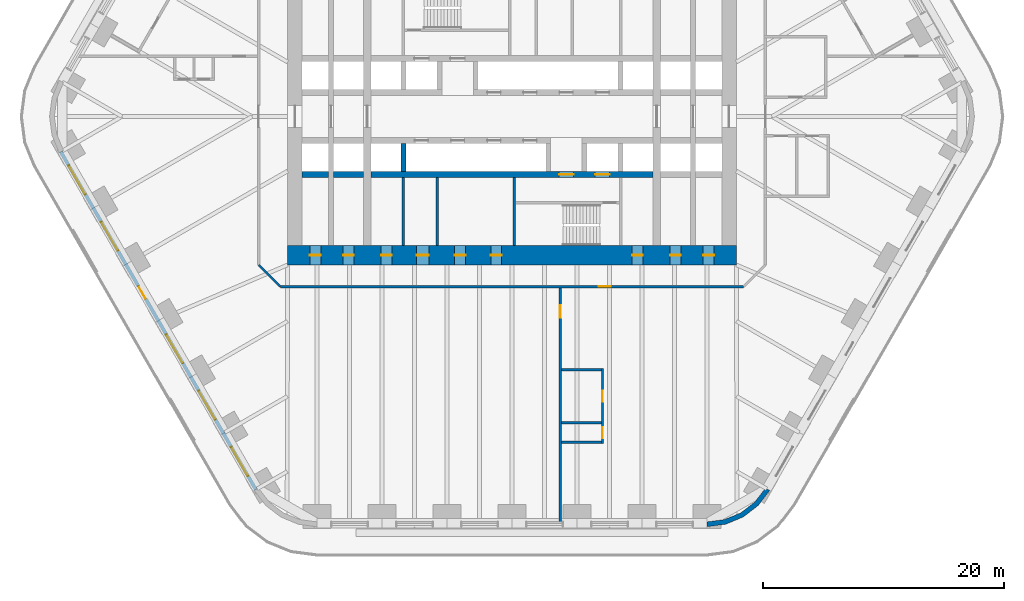
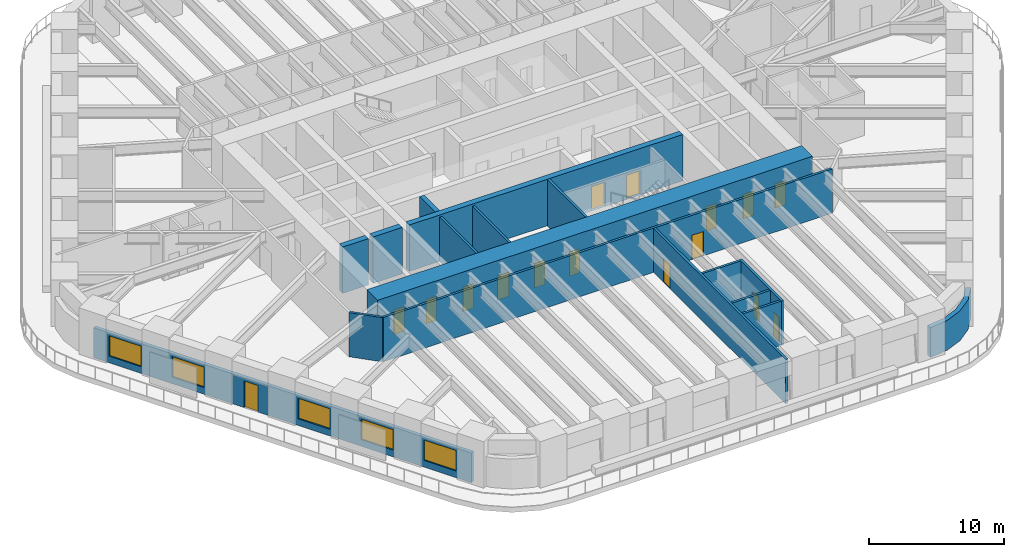
# One storey, part 16 of 23: 17 walls, 16 doors, 5 windows, 21 openings.
"""IFC4 building model written with IfcOpenShell, lengths in metres."""

from ifc_helpers import new_model, si_unit, direction, frame, frame_2d, origin, place, context, subcontext, project, spatial, polyline, rectangle, outline, extrude, material, layer, layer_set, type_object, element, fill, save


model = new_model("IFC4")

# Units and contexts
model_context = context("Model", 3, precision=1e-05, world=origin(), true_north=direction((0.0, 1.0)))
body_context = subcontext(model_context, "Body", "Model", "MODEL_VIEW")
ifc_project = project(units=[si_unit("LENGTHUNIT", "METRE"), si_unit("AREAUNIT", "SQUARE_METRE"), si_unit("VOLUMEUNIT", "CUBIC_METRE"), si_unit("PLANEANGLEUNIT", "RADIAN"), si_unit("MASSUNIT", "GRAM", prefix="KILO")], contexts=[model_context])

# Site, building, storey
site_placement = place(None, origin())
site = spatial("IfcSite", under=ifc_project, at=site_placement, CompositionType="ELEMENT")
building_placement = place(site_placement, origin())
building = spatial("IfcBuilding", under=site, at=building_placement, Name="Tarfa Lantern Tower", CompositionType="ELEMENT")
storey_placement = place(building_placement, frame((0.0, 0.0, 40.300048828125)))
storey = spatial("IfcBuildingStorey", under=building, at=storey_placement, Name="L08", CompositionType="ELEMENT", Elevation=40.300048828125)

# Wall, openings, door, windows
ifc_material_1 = material(Name="Limestone cladding on blockwork", Category="masonry")
ifc_layer_1 = layer(ifc_material_1, 0.300048828125)
ifc_layer_set_1 = layer_set([ifc_layer_1], Name="EW1 STONE-CLAD WALL 300")
wall_type_1 = type_object("IfcWallType", Name="EW1 STONE-CLAD WALL 300", PredefinedType="SOLIDWALL", material=ifc_layer_set_1)
wall_1_placement = place(storey_placement, frame((-37.39794921875, -2.925048828125, 0.0), z_axis=(0.0, 0.0, 1.0), x_axis=(0.499999163675, -0.866025886636, 0.0)))
wall_1 = element("IfcWall", 1, at=wall_1_placement, inside=storey, type_object=wall_type_1, Name="Stone wall SW", PredefinedType="SOLIDWALL", context=body_context, shape_type="SweptSolid", body=[
    extrude(rectangle(XDim=32.33154296875, YDim=0.300048828125, at=frame_2d((16.165771484375, 0.0))), origin(), (0.0, 0.0, 1.0), 2.699951171875),
])
opening_1_placement = place(wall_1_placement, frame((1.3193359375, 0.0, 0.60009765625)))
opening_1 = element("IfcOpeningElement", 2, at=opening_1_placement, cuts=wall_1, Name="Opening W2", PredefinedType="OPENING", context=body_context, shape_type="SweptSolid", body=[
    extrude(rectangle(XDim=2.75, YDim=1.85009765625, at=frame_2d((1.375, 0.925048828125))), frame((0.0, 0.159912109375, 0.0), z_axis=(0.0, -1.0, 0.0), x_axis=(1.0, 0.0, 0.0)), (0.0, 0.0, 1.0), 0.320068359375),
])
opening_2_placement = place(wall_1_placement, frame((6.7080078125, 0.0, 0.60009765625)))
opening_2 = element("IfcOpeningElement", 3, at=opening_2_placement, cuts=wall_1, Name="Opening W2", PredefinedType="OPENING", context=body_context, shape_type="SweptSolid", body=[
    extrude(rectangle(XDim=2.75, YDim=1.85009765625, at=frame_2d((1.375, 0.925048828125))), frame((0.0, 0.159912109375, 0.0), z_axis=(0.0, -1.0, 0.0), x_axis=(1.0, 0.0, 0.0)), (0.0, 0.0, 1.0), 0.320068359375),
])
opening_3_placement = place(wall_1_placement, frame((12.87158203125, 0.0, 0.0)))
opening_3 = element("IfcOpeningElement", 4, at=opening_3_placement, cuts=wall_1, Name="Opening D51", PredefinedType="OPENING", context=body_context, shape_type="SweptSolid", body=[
    extrude(rectangle(XDim=1.199951171875, YDim=2.39990234375, at=frame_2d((0.60009765625, 1.199951171875))), frame((0.0, 0.159912109375, 0.0), z_axis=(0.0, -1.0, 0.0), x_axis=(1.0, 0.0, 0.0)), (0.0, 0.0, 1.0), 0.320068359375),
])
opening_4_placement = place(wall_1_placement, frame((17.485107421875, 0.0, 0.60009765625)))
opening_4 = element("IfcOpeningElement", 5, at=opening_4_placement, cuts=wall_1, Name="Opening W2", PredefinedType="OPENING", context=body_context, shape_type="SweptSolid", body=[
    extrude(rectangle(XDim=2.75, YDim=1.85009765625, at=frame_2d((1.375, 0.925048828125))), frame((0.0, 0.159912109375, 0.0), z_axis=(0.0, -1.0, 0.0), x_axis=(1.0, 0.0, 0.0)), (0.0, 0.0, 1.0), 0.320068359375),
])
opening_5_placement = place(wall_1_placement, frame((22.873779296875, 0.0, 0.60009765625)))
opening_5 = element("IfcOpeningElement", 6, at=opening_5_placement, cuts=wall_1, Name="Opening W2", PredefinedType="OPENING", context=body_context, shape_type="SweptSolid", body=[
    extrude(rectangle(XDim=2.75, YDim=1.85009765625, at=frame_2d((1.375, 0.925048828125))), frame((0.0, 0.159912109375, 0.0), z_axis=(0.0, -1.0, 0.0), x_axis=(1.0, 0.0, 0.0)), (0.0, 0.0, 1.0), 0.320068359375),
])
opening_6_placement = place(wall_1_placement, frame((28.26220703125, 0.0, 0.60009765625)))
opening_6 = element("IfcOpeningElement", 7, at=opening_6_placement, cuts=wall_1, Name="Opening W2", PredefinedType="OPENING", context=body_context, shape_type="SweptSolid", body=[
    extrude(rectangle(XDim=2.75, YDim=1.85009765625, at=frame_2d((1.375, 0.925048828125))), frame((0.0, 0.159912109375, 0.0), z_axis=(0.0, -1.0, 0.0), x_axis=(1.0, 0.0, 0.0)), (0.0, 0.0, 1.0), 0.320068359375),
])
ifc_material_2 = material(Name="Aluminium framed glazed door", Category="aluminium")
door_type_1 = type_object("IfcDoorType", Name="BE3 BALCONY DOOR 1200x2400", OperationType="SINGLE_SWING_RIGHT", PredefinedType="DOOR", material=ifc_material_2)
door_1_placement = place(opening_3_placement, origin())
door_1 = element("IfcDoor", 8, at=door_1_placement, inside=storey, type_object=door_type_1, Name="Balcony door SW", OperationType="SINGLE_SWING_RIGHT", OverallHeight=2.39990234375, OverallWidth=1.199951171875, PredefinedType="DOOR", context=body_context, shape_type="SweptSolid", body=[
    extrude(rectangle(XDim=1.199951171875, YDim=2.39990234375, at=frame_2d((0.60009765625, 1.199951171875))), frame((0.0, 0.02490234375, 0.0), z_axis=(0.0, -1.0, 0.0), x_axis=(1.0, 0.0, 0.0)), (0.0, 0.0, 1.0), 0.050048828125),
])
fill(opening_3, door_1)
ifc_material_3 = material(Name="Aluminium frame, double glazed", Category="aluminium")
window_type = type_object("IfcWindowType", Name="W2 FULL-HEIGHT GLAZING 2750x1850", PartitioningType="SINGLE_PANEL", PredefinedType="WINDOW", material=ifc_material_3)
window_1_placement = place(opening_1_placement, origin())
window_1 = element("IfcWindow", 9, at=window_1_placement, inside=storey, type_object=window_type, Name="Window SW 1", OverallHeight=1.85009765625, OverallWidth=2.75, PartitioningType="SINGLE_PANEL", PredefinedType="WINDOW", context=body_context, shape_type="SweptSolid", body=[
    extrude(rectangle(XDim=2.75, YDim=1.85009765625, at=frame_2d((1.375, 0.925048828125))), frame((0.0, 0.030029296875, 0.0), z_axis=(0.0, -1.0, 0.0), x_axis=(1.0, 0.0, 0.0)), (0.0, 0.0, 1.0), 0.06005859375),
])
fill(opening_1, window_1)
window_2_placement = place(opening_2_placement, origin())
window_2 = element("IfcWindow", 10, at=window_2_placement, inside=storey, type_object=window_type, Name="Window SW 2", OverallHeight=1.85009765625, OverallWidth=2.75, PartitioningType="SINGLE_PANEL", PredefinedType="WINDOW", context=body_context, shape_type="SweptSolid", body=[
    extrude(rectangle(XDim=2.75, YDim=1.85009765625, at=frame_2d((1.375, 0.925048828125))), frame((0.0, 0.030029296875, 0.0), z_axis=(0.0, -1.0, 0.0), x_axis=(1.0, 0.0, 0.0)), (0.0, 0.0, 1.0), 0.06005859375),
])
fill(opening_2, window_2)
window_3_placement = place(opening_4_placement, origin())
window_3 = element("IfcWindow", 11, at=window_3_placement, inside=storey, type_object=window_type, Name="Window SW 4", OverallHeight=1.85009765625, OverallWidth=2.75, PartitioningType="SINGLE_PANEL", PredefinedType="WINDOW", context=body_context, shape_type="SweptSolid", body=[
    extrude(rectangle(XDim=2.75, YDim=1.85009765625, at=frame_2d((1.375, 0.925048828125))), frame((0.0, 0.030029296875, 0.0), z_axis=(0.0, -1.0, 0.0), x_axis=(1.0, 0.0, 0.0)), (0.0, 0.0, 1.0), 0.06005859375),
])
fill(opening_4, window_3)
window_4_placement = place(opening_5_placement, origin())
window_4 = element("IfcWindow", 12, at=window_4_placement, inside=storey, type_object=window_type, Name="Window SW 5", OverallHeight=1.85009765625, OverallWidth=2.75, PartitioningType="SINGLE_PANEL", PredefinedType="WINDOW", context=body_context, shape_type="SweptSolid", body=[
    extrude(rectangle(XDim=2.75, YDim=1.85009765625, at=frame_2d((1.375, 0.925048828125))), frame((0.0, 0.030029296875, 0.0), z_axis=(0.0, -1.0, 0.0), x_axis=(1.0, 0.0, 0.0)), (0.0, 0.0, 1.0), 0.06005859375),
])
fill(opening_5, window_4)
window_5_placement = place(opening_6_placement, origin())
window_5 = element("IfcWindow", 13, at=window_5_placement, inside=storey, type_object=window_type, Name="Window SW 6", OverallHeight=1.85009765625, OverallWidth=2.75, PartitioningType="SINGLE_PANEL", PredefinedType="WINDOW", context=body_context, shape_type="SweptSolid", body=[
    extrude(rectangle(XDim=2.75, YDim=1.85009765625, at=frame_2d((1.375, 0.925048828125))), frame((0.0, 0.030029296875, 0.0), z_axis=(0.0, -1.0, 0.0), x_axis=(1.0, 0.0, 0.0)), (0.0, 0.0, 1.0), 0.06005859375),
])
fill(opening_6, window_5)

# Walls
ifc_layer_2 = layer(ifc_material_1, 0.39990234375)
ifc_layer_set_2 = layer_set([ifc_layer_2], Name="EW2 CURVED STONE CORNER 400")
wall_type_2 = type_object("IfcWallType", Name="EW2 CURVED STONE CORNER 400", PredefinedType="SOLIDWALL", material=ifc_layer_set_2)
wall_2_placement = place(storey_placement, origin())
element("IfcWall", 14, at=wall_2_placement, inside=storey, type_object=wall_type_2, Name="Stone corner S-SE", PredefinedType="SOLIDWALL", context=body_context, shape_type="SweptSolid", body=[
    extrude(outline(polyline([(16.165771484375, -34.0), (17.71875, -33.795654296875), (19.165771484375, -33.196044921875), (20.408447265625, -32.24267578125), (21.362060546875, -31.0), (21.015625, -30.800048828125), (20.12548828125, -31.959716796875), (18.9658203125, -32.849853515625), (17.615234375, -33.4091796875), (16.165771484375, -33.60009765625), (16.165771484375, -34.0)])), origin(), (0.0, 0.0, 1.0), 2.699951171875),
])
ifc_material_4 = material(Name="Concrete blockwork", Category="masonry")
ifc_layer_3 = layer(ifc_material_4, 0.199951171875)
ifc_layer_set_3 = layer_set([ifc_layer_3], Name="IW1 BLOCKWORK PARTITION 200 EI 120")
wall_type_3 = type_object("IfcWallType", Name="IW1 BLOCKWORK PARTITION 200 EI 120", PredefinedType="PARTITIONING", material=ifc_layer_set_3)
for number, where, z_axis, x_axis, name in (
    (15, (-9.0, -5.050048828125, 0.0), (0.0, 0.0, 1.0), (0.0, -1.0, 0.0), "Core partition"),
    (16, (-6.199951171875, -5.050048828125, 0.0), (0.0, 0.0, 1.0), (0.0, -1.0, 0.0), "Core partition"),
):
    element("IfcWall", number, at=place(storey_placement, frame(where, z_axis=z_axis, x_axis=x_axis)), inside=storey, type_object=wall_type_3, Name=name, PredefinedType="PARTITIONING", context=body_context, shape_type="SweptSolid", body=[
        extrude(rectangle(XDim=5.64990234375, YDim=0.199951171875, at=frame_2d((2.824951171875, 0.0))), origin(), (0.0, 0.0, 1.0), 4.0),
    ])

# Wall, opening, door
ifc_material_5 = material(Name="Gypsum board on steel studs", Category="steel")
ifc_layer_4 = layer(ifc_material_5, 0.2099609375)
ifc_layer_set_4 = layer_set([ifc_layer_4], Name="IW2 ACOUSTIC PARTITION 200")
wall_type_4 = type_object("IfcWallType", Name="IW2 ACOUSTIC PARTITION 200", PredefinedType="PARTITIONING", material=ifc_layer_set_4)
wall_3_placement = place(storey_placement, frame((19.199951171875, -14.10009765625, 0.0), z_axis=(0.0, 0.0, 1.0), x_axis=(-1.0, 0.0, 0.0)))
wall_3 = element("IfcWall", 17, at=wall_3_placement, inside=storey, type_object=wall_type_4, Name="Partition", PredefinedType="PARTITIONING", context=body_context, shape_type="SweptSolid", body=[
    extrude(rectangle(XDim=38.39990234375, YDim=0.199951171875, at=frame_2d((19.199951171875, 0.0))), origin(), (0.0, 0.0, 1.0), 4.0),
])
opening_7_placement = place(wall_3_placement, frame((11.02001953125, 0.0, 0.0)))
opening_7 = element("IfcOpeningElement", 18, at=opening_7_placement, cuts=wall_3, Name="Opening D44", PredefinedType="OPENING", context=body_context, shape_type="SweptSolid", body=[
    extrude(rectangle(XDim=1.0, YDim=2.199951171875, at=frame_2d((0.5, 1.10009765625))), frame((0.0, 0.10986328125, 0.0), z_axis=(0.0, -1.0, 0.0), x_axis=(1.0, 0.0, 0.0)), (0.0, 0.0, 1.0), 0.219970703125),
])
ifc_material_6 = material(Name="Timber door", Category="wood")
door_type_2 = type_object("IfcDoorType", Name="DR1 ROOM DOOR 1000x2200", OperationType="SINGLE_SWING_LEFT", PredefinedType="DOOR", material=ifc_material_6)
door_2_placement = place(opening_7_placement, origin())
door_2 = element("IfcDoor", 19, at=door_2_placement, inside=storey, type_object=door_type_2, Name="Corridor door", OperationType="SINGLE_SWING_LEFT", OverallHeight=2.199951171875, OverallWidth=1.0, PredefinedType="DOOR", context=body_context, shape_type="SweptSolid", body=[
    extrude(rectangle(XDim=1.0, YDim=2.199951171875, at=frame_2d((0.5, 1.10009765625))), frame((0.0, 0.02490234375, 0.0), z_axis=(0.0, -1.0, 0.0), x_axis=(1.0, 0.0, 0.0)), (0.0, 0.0, 1.0), 0.050048828125),
])
fill(opening_7, door_2)

# Wall
wall_4_placement = place(storey_placement, frame((-19.199951171875, -14.10009765625, 0.0), z_axis=(0.0, 0.0, 1.0), x_axis=(-0.707106781187, 0.707106781187, 0.0)))
element("IfcWall", 20, at=wall_4_placement, inside=storey, type_object=wall_type_4, Name="Partition", PredefinedType="PARTITIONING", context=body_context, shape_type="SweptSolid", body=[
    extrude(rectangle(XDim=2.545654296875, YDim=0.199951171875, at=frame_2d((1.27294921875, 0.0))), origin(), (0.0, 0.0, 1.0), 4.0),
])

# Wall, opening, door
wall_5_placement = place(storey_placement, frame((4.0, -14.199951171875, 0.0), z_axis=(0.0, 0.0, 1.0), x_axis=(0.0, -1.0, 0.0)))
wall_5 = element("IfcWall", 21, at=wall_5_placement, inside=storey, type_object=wall_type_4, Name="Partition", PredefinedType="PARTITIONING", context=body_context, shape_type="SweptSolid", body=[
    extrude(rectangle(XDim=19.60009765625, YDim=0.199951171875, at=frame_2d((9.800048828125, 0.0))), origin(), (0.0, 0.0, 1.0), 4.0),
])
opening_8_placement = place(wall_5_placement, frame((1.4599609375, 0.0, 0.0)))
opening_8 = element("IfcOpeningElement", 22, at=opening_8_placement, cuts=wall_5, Name="Opening D47", PredefinedType="OPENING", context=body_context, shape_type="SweptSolid", body=[
    extrude(rectangle(XDim=1.0, YDim=2.199951171875, at=frame_2d((0.5, 1.10009765625))), frame((0.0, 0.10986328125, 0.0), z_axis=(0.0, -1.0, 0.0), x_axis=(1.0, 0.0, 0.0)), (0.0, 0.0, 1.0), 0.219970703125),
])
door_3_placement = place(opening_8_placement, origin())
door_3 = element("IfcDoor", 23, at=door_3_placement, inside=storey, type_object=door_type_2, Name="Zone door", OperationType="SINGLE_SWING_RIGHT", OverallHeight=2.199951171875, OverallWidth=1.0, PredefinedType="DOOR", context=body_context, shape_type="SweptSolid", body=[
    extrude(rectangle(XDim=1.0, YDim=2.199951171875, at=frame_2d((0.5, 1.10009765625))), frame((0.0, 0.02490234375, 0.0), z_axis=(0.0, -1.0, 0.0), x_axis=(1.0, 0.0, 0.0)), (0.0, 0.0, 1.0), 0.050048828125),
])
fill(opening_8, door_3)

# Wall, openings, doors
wall_6_placement = place(storey_placement, frame((7.5, -20.89990234375, 0.0), z_axis=(0.0, 0.0, 1.0), x_axis=(0.0, -1.0, 0.0)))
wall_6 = element("IfcWall", 24, at=wall_6_placement, inside=storey, type_object=wall_type_4, Name="Partition", PredefinedType="PARTITIONING", context=body_context, shape_type="SweptSolid", body=[
    extrude(rectangle(XDim=6.2001953125, YDim=0.199951171875, at=frame_2d((3.10009765625, 0.0))), origin(), (0.0, 0.0, 1.0), 4.0),
])
opening_9_placement = place(wall_6_placement, frame((1.85009765625, 0.0, 0.0)))
opening_9 = element("IfcOpeningElement", 25, at=opening_9_placement, cuts=wall_6, Name="Opening D39", PredefinedType="OPENING", context=body_context, shape_type="SweptSolid", body=[
    extrude(rectangle(XDim=0.89990234375, YDim=2.199951171875, at=frame_2d((0.449951171875, 1.10009765625))), frame((0.0, 0.10986328125, 0.0), z_axis=(0.0, -1.0, 0.0), x_axis=(1.0, 0.0, 0.0)), (0.0, 0.0, 1.0), 0.219970703125),
])
opening_10_placement = place(wall_6_placement, frame((4.85009765625, 0.0, 0.0)))
opening_10 = element("IfcOpeningElement", 26, at=opening_10_placement, cuts=wall_6, Name="Opening D40", PredefinedType="OPENING", context=body_context, shape_type="SweptSolid", body=[
    extrude(rectangle(XDim=0.89990234375, YDim=2.199951171875, at=frame_2d((0.449951171875, 1.10009765625))), frame((0.0, 0.10986328125, 0.0), z_axis=(0.0, -1.0, 0.0), x_axis=(1.0, 0.0, 0.0)), (0.0, 0.0, 1.0), 0.219970703125),
])
door_type_3 = type_object("IfcDoorType", Name="DR3 ROOM DOOR 900x2200", OperationType="SINGLE_SWING_LEFT", PredefinedType="DOOR", material=ifc_material_6)
door_4_placement = place(opening_9_placement, frame((0.89990234375, 0.0, 0.0), z_axis=(0.0, 0.0, 1.0), x_axis=(-1.0, 0.0, 0.0)))
door_4 = element("IfcDoor", 27, at=door_4_placement, inside=storey, type_object=door_type_3, Name="Meeting room door", OperationType="SINGLE_SWING_LEFT", OverallHeight=2.199951171875, OverallWidth=0.89990234375, PredefinedType="DOOR", context=body_context, shape_type="SweptSolid", body=[
    extrude(rectangle(XDim=0.89990234375, YDim=2.199951171875, at=frame_2d((0.449951171875, 1.10009765625))), frame((0.0, 0.02490234375, 0.0), z_axis=(0.0, -1.0, 0.0), x_axis=(1.0, 0.0, 0.0)), (0.0, 0.0, 1.0), 0.050048828125),
])
fill(opening_9, door_4)
door_5_placement = place(opening_10_placement, frame((0.89990234375, 0.0, 0.0), z_axis=(0.0, 0.0, 1.0), x_axis=(-1.0, 0.0, 0.0)))
door_5 = element("IfcDoor", 28, at=door_5_placement, inside=storey, type_object=door_type_3, Name="Phone booth door", OperationType="SINGLE_SWING_RIGHT", OverallHeight=2.199951171875, OverallWidth=0.89990234375, PredefinedType="DOOR", context=body_context, shape_type="SweptSolid", body=[
    extrude(rectangle(XDim=0.89990234375, YDim=2.199951171875, at=frame_2d((0.449951171875, 1.10009765625))), frame((0.0, 0.02490234375, 0.0), z_axis=(0.0, -1.0, 0.0), x_axis=(1.0, 0.0, 0.0)), (0.0, 0.0, 1.0), 0.050048828125),
])
fill(opening_10, door_5)

# Walls
for number, where, z_axis, x_axis, name in (
    (29, (4.10009765625, -21.0, 0.0), (0.0, 0.0, 1.0), (1.0, 0.0, 0.0), "Partition"),
    (30, (4.10009765625, -25.39990234375, 0.0), (0.0, 0.0, 1.0), (1.0, 0.0, 0.0), "Partition"),
    (31, (4.10009765625, -27.0, 0.0), (0.0, 0.0, 1.0), (1.0, 0.0, 0.0), "Partition"),
):
    element("IfcWall", number, at=place(storey_placement, frame(where, z_axis=z_axis, x_axis=x_axis)), inside=storey, type_object=wall_type_4, Name=name, PredefinedType="PARTITIONING", context=body_context, shape_type="SweptSolid", body=[
        extrude(rectangle(XDim=3.2998046875, YDim=0.199951171875, at=frame_2d((1.64990234375, 0.0))), origin(), (0.0, 0.0, 1.0), 4.0),
    ])
ifc_material_7 = material(Name="Concrete C80/95", Category="concrete")
ifc_layer_5 = layer(ifc_material_7, 0.199951171875)
ifc_layer_set_5 = layer_set([ifc_layer_5], Name="SW12 CORE WALL 200")
wall_type_5 = type_object("IfcWallType", Name="SW12 CORE WALL 200", PredefinedType="SHEAR", material=ifc_layer_set_5)
wall_7_placement = place(storey_placement, frame((0.199951171875, -5.050048828125, 0.0), z_axis=(0.0, 0.0, 1.0), x_axis=(0.0, -1.0, 0.0)))
element("IfcWall", 32, at=wall_7_placement, inside=storey, type_object=wall_type_5, Name="Core wall stair shaft S", PredefinedType="SHEAR", context=body_context, shape_type="SweptSolid", body=[
    extrude(rectangle(XDim=5.64990234375, YDim=0.199951171875, at=frame_2d((2.824951171875, 0.0))), origin(), (0.0, 0.0, 1.0), 4.199951171875),
])

# Wall, openings, doors
ifc_layer_6 = layer(ifc_material_7, 0.5)
ifc_layer_set_6 = layer_set([ifc_layer_6], Name="SW5 CORE WALL 500")
wall_type_6 = type_object("IfcWallType", Name="SW5 CORE WALL 500", PredefinedType="SHEAR", material=ifc_layer_set_6)
wall_8_placement = place(storey_placement, frame((11.699951171875, -4.800048828125, 0.0), z_axis=(0.0, 0.0, 1.0), x_axis=(-1.0, 0.0, 0.0)))
wall_8 = element("IfcWall", 33, at=wall_8_placement, inside=storey, type_object=wall_type_6, Name="Core wall rear S", PredefinedType="SHEAR", context=body_context, shape_type="SweptSolid", body=[
    extrude(rectangle(XDim=23.39990234375, YDim=0.5, at=frame_2d((11.699951171875, 0.0))), origin(), (0.0, 0.0, 1.0), 4.199951171875),
])
opening_11_placement = place(wall_8_placement, frame((6.60009765625, 0.0, 0.0)))
opening_11 = element("IfcOpeningElement", 34, at=opening_11_placement, cuts=wall_8, Name="Opening D14", PredefinedType="OPENING", context=body_context, shape_type="SweptSolid", body=[
    extrude(rectangle(XDim=1.199951171875, YDim=2.199951171875, at=frame_2d((0.60009765625, 1.10009765625))), frame((0.0, 0.260009765625, 0.0), z_axis=(0.0, -1.0, 0.0), x_axis=(1.0, 0.0, 0.0)), (0.0, 0.0, 1.0), 0.52001953125),
])
opening_12_placement = place(wall_8_placement, frame((3.60009765625, 0.0, 0.0)))
opening_12 = element("IfcOpeningElement", 35, at=opening_12_placement, cuts=wall_8, Name="Opening LD02", PredefinedType="OPENING", context=body_context, shape_type="SweptSolid", body=[
    extrude(rectangle(XDim=1.199951171875, YDim=2.199951171875, at=frame_2d((0.60009765625, 1.10009765625))), frame((0.0, 0.260009765625, 0.0), z_axis=(0.0, -1.0, 0.0), x_axis=(1.0, 0.0, 0.0)), (0.0, 0.0, 1.0), 0.52001953125),
])
ifc_material_8 = material(Name="Steel fire door", Category="steel")
door_type_4 = type_object("IfcDoorType", Name="DF1 FIREFIGHTING LOBBY DOOR 1200x2200", OperationType="SINGLE_SWING_LEFT", PredefinedType="DOOR", material=ifc_material_8)
door_6_placement = place(opening_11_placement, origin())
door_6 = element("IfcDoor", 36, at=door_6_placement, inside=storey, type_object=door_type_4, Name="Firefighting lobby door", OperationType="SINGLE_SWING_LEFT", OverallHeight=2.199951171875, OverallWidth=1.199951171875, PredefinedType="DOOR", context=body_context, shape_type="SweptSolid", body=[
    extrude(rectangle(XDim=1.199951171875, YDim=2.199951171875, at=frame_2d((0.60009765625, 1.10009765625))), frame((0.0, 0.02490234375, 0.0), z_axis=(0.0, -1.0, 0.0), x_axis=(1.0, 0.0, 0.0)), (0.0, 0.0, 1.0), 0.050048828125),
])
fill(opening_11, door_6)
ifc_material_9 = material(Name="Stainless steel lift door", Category="steel")
door_type_5 = type_object("IfcDoorType", Name="LD1 LIFT LANDING DOOR 1200x2200", OperationType="SLIDING_TO_LEFT", PredefinedType="DOOR", material=ifc_material_9)
door_7_placement = place(opening_12_placement, origin())
door_7 = element("IfcDoor", 37, at=door_7_placement, inside=storey, type_object=door_type_5, Name="Landing door FL2", OperationType="SLIDING_TO_LEFT", OverallHeight=2.199951171875, OverallWidth=1.199951171875, PredefinedType="DOOR", context=body_context, shape_type="SweptSolid", body=[
    extrude(rectangle(XDim=1.199951171875, YDim=2.199951171875, at=frame_2d((0.60009765625, 1.10009765625))), frame((0.0, 0.02490234375, 0.0), z_axis=(0.0, -1.0, 0.0), x_axis=(1.0, 0.0, 0.0)), (0.0, 0.0, 1.0), 0.050048828125),
])
fill(opening_12, door_7)

# Walls
wall_9_placement = place(storey_placement, frame((-12.300048828125, -4.800048828125, 0.0), z_axis=(0.0, 0.0, 1.0), x_axis=(-1.0, 0.0, 0.0)))
element("IfcWall", 38, at=wall_9_placement, inside=storey, type_object=wall_type_6, Name="Core wall rear S", PredefinedType="SHEAR", context=body_context, shape_type="SweptSolid", body=[
    extrude(rectangle(XDim=2.5, YDim=0.5, at=frame_2d((1.25, 0.0))), origin(), (0.0, 0.0, 1.0), 4.199951171875),
])
wall_10_placement = place(storey_placement, frame((-15.199951171875, -4.800048828125, 0.0), z_axis=(0.0, 0.0, 1.0), x_axis=(-1.0, 0.0, 0.0)))
element("IfcWall", 39, at=wall_10_placement, inside=storey, type_object=wall_type_6, Name="Core wall rear S", PredefinedType="SHEAR", context=body_context, shape_type="SweptSolid", body=[
    extrude(rectangle(XDim=2.199951171875, YDim=0.5, at=frame_2d((1.10009765625, 0.0))), origin(), (0.0, 0.0, 1.0), 4.199951171875),
])
ifc_layer_7 = layer(ifc_material_7, 0.39990234375)
ifc_layer_set_7 = layer_set([ifc_layer_7], Name="SW6 CORE WALL 400")
wall_type_7 = type_object("IfcWallType", Name="SW6 CORE WALL 400", PredefinedType="SHEAR", material=ifc_layer_set_7)
wall_11_placement = place(storey_placement, frame((-9.0, -2.25, 0.0), z_axis=(0.0, 0.0, 1.0), x_axis=(0.0, -1.0, 0.0)))
element("IfcWall", 40, at=wall_11_placement, inside=storey, type_object=wall_type_7, Name="Core wall divider S", PredefinedType="SHEAR", context=body_context, shape_type="SweptSolid", body=[
    extrude(rectangle(XDim=2.300048828125, YDim=0.39990234375, at=frame_2d((1.14990234375, 0.0))), origin(), (0.0, 0.0, 1.0), 4.199951171875),
])

# Wall, openings, doors
ifc_layer_8 = layer(ifc_material_7, 1.60009765625)
ifc_layer_set_8 = layer_set([ifc_layer_8], Name="SW7 CORE WALL 1600")
wall_type_8 = type_object("IfcWallType", Name="SW7 CORE WALL 1600", PredefinedType="SHEAR", material=ifc_layer_set_8)
wall_12_placement = place(storey_placement, frame((18.60009765625, -11.5, 0.0), z_axis=(0.0, 0.0, 1.0), x_axis=(-1.0, 0.0, 0.0)))
wall_12 = element("IfcWall", 41, at=wall_12_placement, inside=storey, type_object=wall_type_8, Name="Core wall S", PredefinedType="SHEAR", context=body_context, shape_type="SweptSolid", body=[
    extrude(rectangle(XDim=37.2001953125, YDim=1.60009765625, at=frame_2d((18.60009765625, 0.0))), origin(), (0.0, 0.0, 1.0), 4.199951171875),
])
opening_13_placement = place(wall_12_placement, frame((19.449951171875, 0.0, 0.0)))
opening_13 = element("IfcOpeningElement", 42, at=opening_13_placement, cuts=wall_12, Name="Opening D18", PredefinedType="OPENING", context=body_context, shape_type="SweptSolid", body=[
    extrude(rectangle(XDim=0.89990234375, YDim=2.199951171875, at=frame_2d((0.449951171875, 1.10009765625))), frame((0.0, 0.81005859375, 0.0), z_axis=(0.0, -1.0, 0.0), x_axis=(1.0, 0.0, 0.0)), (0.0, 0.0, 1.0), 1.6201171875),
])
opening_14_placement = place(wall_12_placement, frame((22.449951171875, 0.0, 0.0)))
opening_14 = element("IfcOpeningElement", 43, at=opening_14_placement, cuts=wall_12, Name="Opening D20", PredefinedType="OPENING", context=body_context, shape_type="SweptSolid", body=[
    extrude(rectangle(XDim=0.89990234375, YDim=2.199951171875, at=frame_2d((0.449951171875, 1.10009765625))), frame((0.0, 0.81005859375, 0.0), z_axis=(0.0, -1.0, 0.0), x_axis=(1.0, 0.0, 0.0)), (0.0, 0.0, 1.0), 1.6201171875),
])
opening_15_placement = place(wall_12_placement, frame((25.5, 0.0, 0.0)))
opening_15 = element("IfcOpeningElement", 44, at=opening_15_placement, cuts=wall_12, Name="Opening D22", PredefinedType="OPENING", context=body_context, shape_type="SweptSolid", body=[
    extrude(rectangle(XDim=1.0, YDim=2.199951171875, at=frame_2d((0.5, 1.10009765625))), frame((0.0, 0.81005859375, 0.0), z_axis=(0.0, -1.0, 0.0), x_axis=(1.0, 0.0, 0.0)), (0.0, 0.0, 1.0), 1.6201171875),
])
opening_16_placement = place(wall_12_placement, frame((1.85009765625, 0.0, 0.0)))
opening_16 = element("IfcOpeningElement", 45, at=opening_16_placement, cuts=wall_12, Name="Opening D12", PredefinedType="OPENING", context=body_context, shape_type="SweptSolid", body=[
    extrude(rectangle(XDim=0.89990234375, YDim=2.199951171875, at=frame_2d((0.449951171875, 1.10009765625))), frame((0.0, 0.81005859375, 0.0), z_axis=(0.0, -1.0, 0.0), x_axis=(1.0, 0.0, 0.0)), (0.0, 0.0, 1.0), 1.6201171875),
])
opening_17_placement = place(wall_12_placement, frame((4.60009765625, 0.0, 0.0)))
opening_17 = element("IfcOpeningElement", 46, at=opening_17_placement, cuts=wall_12, Name="Opening D08", PredefinedType="OPENING", context=body_context, shape_type="SweptSolid", body=[
    extrude(rectangle(XDim=0.89990234375, YDim=2.199951171875, at=frame_2d((0.449951171875, 1.10009765625))), frame((0.0, 0.81005859375, 0.0), z_axis=(0.0, -1.0, 0.0), x_axis=(1.0, 0.0, 0.0)), (0.0, 0.0, 1.0), 1.6201171875),
])
opening_18_placement = place(wall_12_placement, frame((7.75, 0.0, 0.0)))
opening_18 = element("IfcOpeningElement", 47, at=opening_18_placement, cuts=wall_12, Name="Opening D10", PredefinedType="OPENING", context=body_context, shape_type="SweptSolid", body=[
    extrude(rectangle(XDim=0.89990234375, YDim=2.199951171875, at=frame_2d((0.449951171875, 1.10009765625))), frame((0.0, 0.81005859375, 0.0), z_axis=(0.0, -1.0, 0.0), x_axis=(1.0, 0.0, 0.0)), (0.0, 0.0, 1.0), 1.6201171875),
])
opening_19_placement = place(wall_12_placement, frame((28.550048828125, 0.0, 0.0)))
opening_19 = element("IfcOpeningElement", 48, at=opening_19_placement, cuts=wall_12, Name="Opening D06", PredefinedType="OPENING", context=body_context, shape_type="SweptSolid", body=[
    extrude(rectangle(XDim=0.89990234375, YDim=2.199951171875, at=frame_2d((0.449951171875, 1.10009765625))), frame((0.0, 0.81005859375, 0.0), z_axis=(0.0, -1.0, 0.0), x_axis=(1.0, 0.0, 0.0)), (0.0, 0.0, 1.0), 1.6201171875),
])
opening_20_placement = place(wall_12_placement, frame((31.699951171875, 0.0, 0.0)))
opening_20 = element("IfcOpeningElement", 49, at=opening_20_placement, cuts=wall_12, Name="Opening D02", PredefinedType="OPENING", context=body_context, shape_type="SweptSolid", body=[
    extrude(rectangle(XDim=0.89990234375, YDim=2.199951171875, at=frame_2d((0.449951171875, 1.10009765625))), frame((0.0, 0.81005859375, 0.0), z_axis=(0.0, -1.0, 0.0), x_axis=(1.0, 0.0, 0.0)), (0.0, 0.0, 1.0), 1.6201171875),
])
opening_21_placement = place(wall_12_placement, frame((34.449951171875, 0.0, 0.0)))
opening_21 = element("IfcOpeningElement", 50, at=opening_21_placement, cuts=wall_12, Name="Opening D04", PredefinedType="OPENING", context=body_context, shape_type="SweptSolid", body=[
    extrude(rectangle(XDim=0.89990234375, YDim=2.199951171875, at=frame_2d((0.449951171875, 1.10009765625))), frame((0.0, 0.81005859375, 0.0), z_axis=(0.0, -1.0, 0.0), x_axis=(1.0, 0.0, 0.0)), (0.0, 0.0, 1.0), 1.6201171875),
])
door_type_6 = type_object("IfcDoorType", Name="DF3 CORE ROOM DOOR 900x2200", OperationType="SINGLE_SWING_LEFT", PredefinedType="DOOR", material=ifc_material_8)
door_8_placement = place(opening_13_placement, frame((0.89990234375, 0.0, 0.0), z_axis=(0.0, 0.0, 1.0), x_axis=(-1.0, 0.0, 0.0)))
door_8 = element("IfcDoor", 51, at=door_8_placement, inside=storey, type_object=door_type_6, Name="Core door", OperationType="SINGLE_SWING_LEFT", OverallHeight=2.199951171875, OverallWidth=0.89990234375, PredefinedType="DOOR", context=body_context, shape_type="SweptSolid", body=[
    extrude(rectangle(XDim=0.89990234375, YDim=2.199951171875, at=frame_2d((0.449951171875, 1.10009765625))), frame((0.0, 0.02490234375, 0.0), z_axis=(0.0, -1.0, 0.0), x_axis=(1.0, 0.0, 0.0)), (0.0, 0.0, 1.0), 0.050048828125),
])
fill(opening_13, door_8)
door_9_placement = place(opening_14_placement, frame((0.89990234375, 0.0, 0.0), z_axis=(0.0, 0.0, 1.0), x_axis=(-1.0, 0.0, 0.0)))
door_9 = element("IfcDoor", 52, at=door_9_placement, inside=storey, type_object=door_type_6, Name="Core door", OperationType="SINGLE_SWING_RIGHT", OverallHeight=2.199951171875, OverallWidth=0.89990234375, PredefinedType="DOOR", context=body_context, shape_type="SweptSolid", body=[
    extrude(rectangle(XDim=0.89990234375, YDim=2.199951171875, at=frame_2d((0.449951171875, 1.10009765625))), frame((0.0, 0.02490234375, 0.0), z_axis=(0.0, -1.0, 0.0), x_axis=(1.0, 0.0, 0.0)), (0.0, 0.0, 1.0), 0.050048828125),
])
fill(opening_14, door_9)
door_type_7 = type_object("IfcDoorType", Name="DF4 CORE ROOM DOOR 1000x2200", OperationType="SINGLE_SWING_LEFT", PredefinedType="DOOR", material=ifc_material_8)
door_10_placement = place(opening_15_placement, frame((1.0, 0.0, 0.0), z_axis=(0.0, 0.0, 1.0), x_axis=(-1.0, 0.0, 0.0)))
door_10 = element("IfcDoor", 53, at=door_10_placement, inside=storey, type_object=door_type_7, Name="Core door", OperationType="SINGLE_SWING_LEFT", OverallHeight=2.199951171875, OverallWidth=1.0, PredefinedType="DOOR", context=body_context, shape_type="SweptSolid", body=[
    extrude(rectangle(XDim=1.0, YDim=2.199951171875, at=frame_2d((0.5, 1.10009765625))), frame((0.0, 0.02490234375, 0.0), z_axis=(0.0, -1.0, 0.0), x_axis=(1.0, 0.0, 0.0)), (0.0, 0.0, 1.0), 0.050048828125),
])
fill(opening_15, door_10)
door_type_8 = type_object("IfcDoorType", Name="DF5 RISER DOOR 900x2200", OperationType="SINGLE_SWING_LEFT", PredefinedType="DOOR", material=ifc_material_8)
door_11_placement = place(opening_16_placement, frame((0.89990234375, 0.0, 0.0), z_axis=(0.0, 0.0, 1.0), x_axis=(-1.0, 0.0, 0.0)))
door_11 = element("IfcDoor", 54, at=door_11_placement, inside=storey, type_object=door_type_8, Name="Riser door", OperationType="SINGLE_SWING_LEFT", OverallHeight=2.199951171875, OverallWidth=0.89990234375, PredefinedType="DOOR", context=body_context, shape_type="SweptSolid", body=[
    extrude(rectangle(XDim=0.89990234375, YDim=2.199951171875, at=frame_2d((0.449951171875, 1.10009765625))), frame((0.0, 0.02490234375, 0.0), z_axis=(0.0, -1.0, 0.0), x_axis=(1.0, 0.0, 0.0)), (0.0, 0.0, 1.0), 0.050048828125),
])
fill(opening_16, door_11)
door_12_placement = place(opening_17_placement, frame((0.89990234375, 0.0, 0.0), z_axis=(0.0, 0.0, 1.0), x_axis=(-1.0, 0.0, 0.0)))
door_12 = element("IfcDoor", 55, at=door_12_placement, inside=storey, type_object=door_type_8, Name="Riser door", OperationType="SINGLE_SWING_LEFT", OverallHeight=2.199951171875, OverallWidth=0.89990234375, PredefinedType="DOOR", context=body_context, shape_type="SweptSolid", body=[
    extrude(rectangle(XDim=0.89990234375, YDim=2.199951171875, at=frame_2d((0.449951171875, 1.10009765625))), frame((0.0, 0.02490234375, 0.0), z_axis=(0.0, -1.0, 0.0), x_axis=(1.0, 0.0, 0.0)), (0.0, 0.0, 1.0), 0.050048828125),
])
fill(opening_17, door_12)
door_13_placement = place(opening_18_placement, frame((0.89990234375, 0.0, 0.0), z_axis=(0.0, 0.0, 1.0), x_axis=(-1.0, 0.0, 0.0)))
door_13 = element("IfcDoor", 56, at=door_13_placement, inside=storey, type_object=door_type_8, Name="Riser door", OperationType="SINGLE_SWING_LEFT", OverallHeight=2.199951171875, OverallWidth=0.89990234375, PredefinedType="DOOR", context=body_context, shape_type="SweptSolid", body=[
    extrude(rectangle(XDim=0.89990234375, YDim=2.199951171875, at=frame_2d((0.449951171875, 1.10009765625))), frame((0.0, 0.02490234375, 0.0), z_axis=(0.0, -1.0, 0.0), x_axis=(1.0, 0.0, 0.0)), (0.0, 0.0, 1.0), 0.050048828125),
])
fill(opening_18, door_13)
door_14_placement = place(opening_19_placement, frame((0.89990234375, 0.0, 0.0), z_axis=(0.0, 0.0, 1.0), x_axis=(-1.0, 0.0, 0.0)))
door_14 = element("IfcDoor", 57, at=door_14_placement, inside=storey, type_object=door_type_8, Name="Riser door", OperationType="SINGLE_SWING_RIGHT", OverallHeight=2.199951171875, OverallWidth=0.89990234375, PredefinedType="DOOR", context=body_context, shape_type="SweptSolid", body=[
    extrude(rectangle(XDim=0.89990234375, YDim=2.199951171875, at=frame_2d((0.449951171875, 1.10009765625))), frame((0.0, 0.02490234375, 0.0), z_axis=(0.0, -1.0, 0.0), x_axis=(1.0, 0.0, 0.0)), (0.0, 0.0, 1.0), 0.050048828125),
])
fill(opening_19, door_14)
door_15_placement = place(opening_20_placement, frame((0.89990234375, 0.0, 0.0), z_axis=(0.0, 0.0, 1.0), x_axis=(-1.0, 0.0, 0.0)))
door_15 = element("IfcDoor", 58, at=door_15_placement, inside=storey, type_object=door_type_8, Name="Riser door", OperationType="SINGLE_SWING_RIGHT", OverallHeight=2.199951171875, OverallWidth=0.89990234375, PredefinedType="DOOR", context=body_context, shape_type="SweptSolid", body=[
    extrude(rectangle(XDim=0.89990234375, YDim=2.199951171875, at=frame_2d((0.449951171875, 1.10009765625))), frame((0.0, 0.02490234375, 0.0), z_axis=(0.0, -1.0, 0.0), x_axis=(1.0, 0.0, 0.0)), (0.0, 0.0, 1.0), 0.050048828125),
])
fill(opening_20, door_15)
door_16_placement = place(opening_21_placement, frame((0.89990234375, 0.0, 0.0), z_axis=(0.0, 0.0, 1.0), x_axis=(-1.0, 0.0, 0.0)))
door_16 = element("IfcDoor", 59, at=door_16_placement, inside=storey, type_object=door_type_8, Name="Riser door", OperationType="SINGLE_SWING_RIGHT", OverallHeight=2.199951171875, OverallWidth=0.89990234375, PredefinedType="DOOR", context=body_context, shape_type="SweptSolid", body=[
    extrude(rectangle(XDim=0.89990234375, YDim=2.199951171875, at=frame_2d((0.449951171875, 1.10009765625))), frame((0.0, 0.02490234375, 0.0), z_axis=(0.0, -1.0, 0.0), x_axis=(1.0, 0.0, 0.0)), (0.0, 0.0, 1.0), 0.050048828125),
])
fill(opening_21, door_16)

save(model, "model.ifc")
